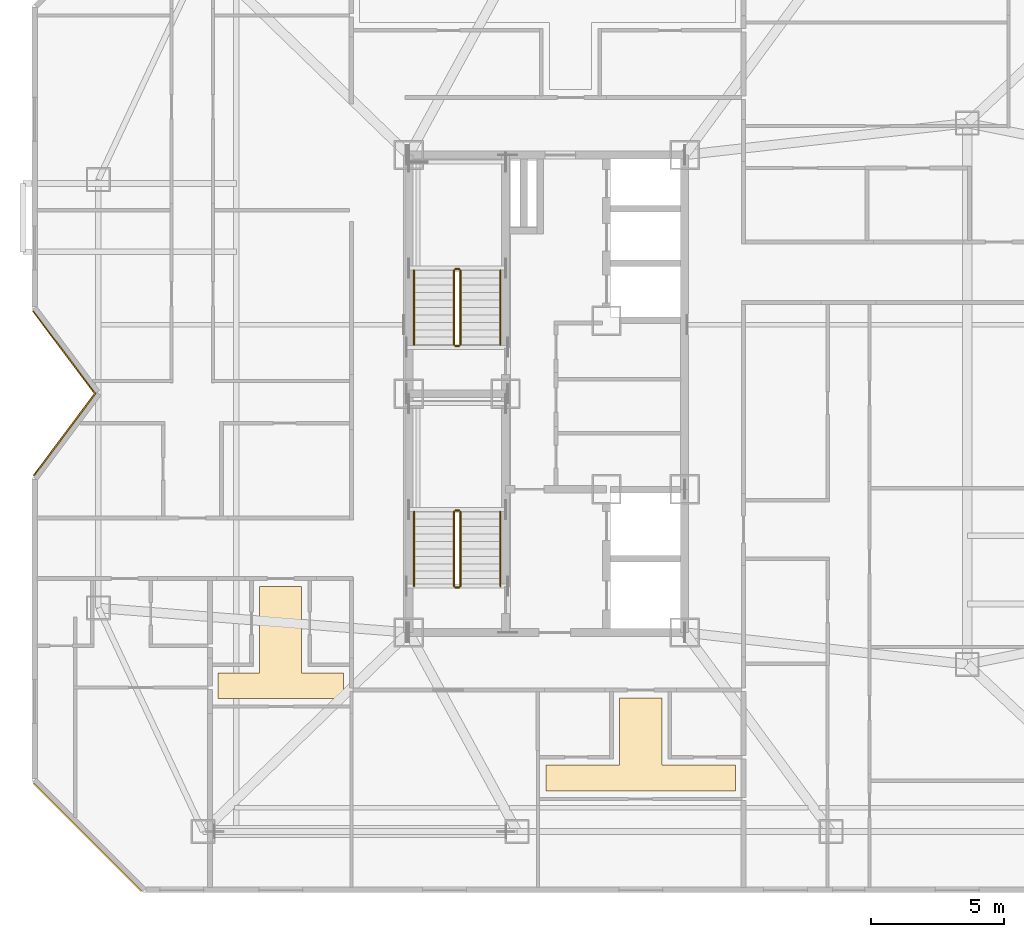
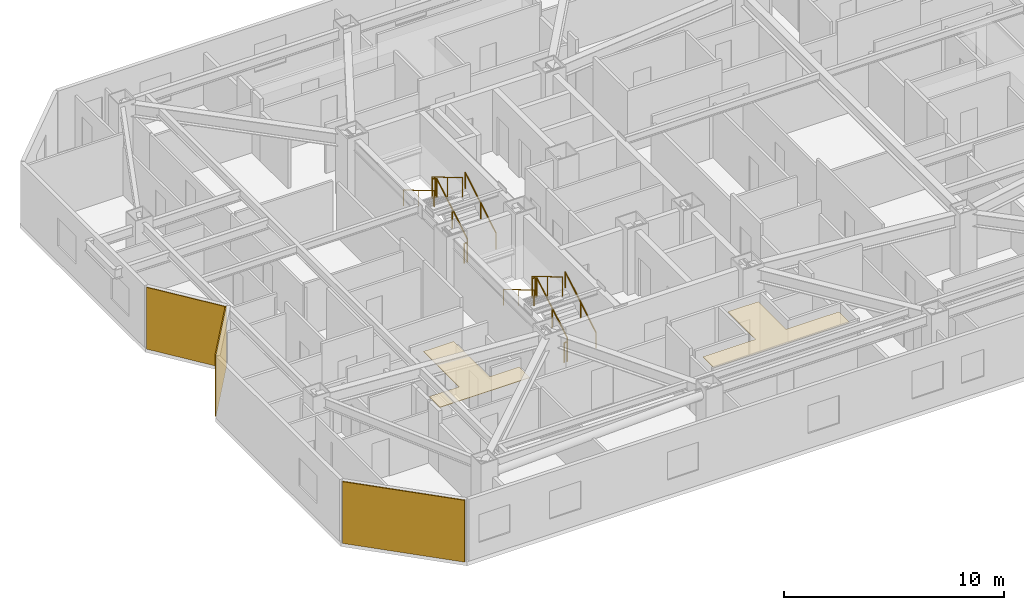
# One storey, part 12 of 13: 12 railings, 5 coverings.
"""IFC4 building model written with IfcOpenShell, lengths in metres."""

from ifc_helpers import new_model, si_unit, direction, frame, origin, origin_2d, place, context, subcontext, project, spatial, polyline, rectangle, circle, outline, extrude, material, layer, layer_set, type_object, element, save


model = new_model("IFC4")

# Units and contexts
model_context = context("Model", 3, precision=1e-05, world=origin(), true_north=direction((0.0, 1.0)))
body_context = subcontext(model_context, "Body", "Model", "MODEL_VIEW")
ifc_project = project(units=[si_unit("LENGTHUNIT", "METRE"), si_unit("AREAUNIT", "SQUARE_METRE"), si_unit("VOLUMEUNIT", "CUBIC_METRE"), si_unit("PLANEANGLEUNIT", "RADIAN"), si_unit("MASSUNIT", "GRAM", prefix="KILO")], contexts=[model_context])

# Site, building, storey
site_placement = place(None, origin())
site = spatial("IfcSite", under=ifc_project, at=site_placement, CompositionType="ELEMENT")
building_placement = place(site_placement, origin())
building = spatial("IfcBuilding", under=site, at=building_placement, Name="Khamvora Tower", CompositionType="ELEMENT")
storey_placement = place(building_placement, frame((0.0, 0.0, 166.85009765625)))
storey = spatial("IfcBuildingStorey", under=building, at=storey_placement, Name="L42", CompositionType="ELEMENT", Elevation=166.85009765625)

# Coverings
ifc_material_1 = material(Name="Perforated Mineral-Fibre Acoustic Ceiling Tile", Category="gypsum")
ifc_layer_1 = layer(ifc_material_1, 0.02490234375)
ifc_layer_set_1 = layer_set([ifc_layer_1], Name="Perforated Mineral-Fibre Acoustic Ceiling Tile")
covering_type_1 = type_object("IfcCoveringType", Name="COV-CEIL-600", PredefinedType="CEILING", material=ifc_layer_set_1)
covering_1_placement = place(storey_placement, frame((0.0, 0.0, 3.14990234375)))
element("IfcCovering", 1, at=covering_1_placement, inside=storey, type_object=covering_type_1, Name="L42 Apartment 42WB Living and Dining Room acoustic ceiling panel", PredefinedType="CEILING", context=body_context, shape_type="SweptSolid", body=[
    extrude(outline(polyline([(21.81005859375, 16.510986328125), (21.81005859375, 17.48095703125), (23.375, 17.48095703125), (23.375, 20.72998046875), (24.965087890625, 20.72998046875), (24.965087890625, 17.48095703125), (26.530029296875, 17.48095703125), (26.530029296875, 16.510986328125), (21.81005859375, 16.510986328125)])), origin(), (0.0, 0.0, 1.0), 0.02490234375),
])
covering_2_placement = place(storey_placement, frame((0.0, 0.0, 3.14990234375)))
element("IfcCovering", 2, at=covering_2_placement, inside=storey, type_object=covering_type_1, Name="L42 Apartment 42SA Living and Dining Room acoustic ceiling panel", PredefinedType="CEILING", context=body_context, shape_type="SweptSolid", body=[
    extrude(outline(polyline([(34.169921875, 13.030029296875), (34.169921875, 14.0), (36.945068359375, 14.0), (36.945068359375, 16.530029296875), (38.534912109375, 16.530029296875), (38.534912109375, 14.0), (41.31005859375, 14.0), (41.31005859375, 13.030029296875), (34.169921875, 13.030029296875)])), origin(), (0.0, 0.0, 1.0), 0.02490234375),
])
ifc_material_2 = material(Name="Pale Anodised Aluminium Rainscreen Panel", Category="aluminium")
ifc_layer_2 = layer(ifc_material_2, 0.044921875)
ifc_layer_set_2 = layer_set([ifc_layer_2], Name="Pale Anodised Aluminium Rainscreen Panel")
covering_type_2 = type_object("IfcCoveringType", Name="COV-CLD-ALU", PredefinedType="CLADDING", material=ifc_layer_set_2)
covering_3_placement = place(storey_placement, frame((15.991943359375, 29.580078125, 0.0), z_axis=(0.0, 0.0, 1.0), x_axis=(-0.600000000002, 0.799999999998, 0.0)))
element("IfcCovering", 3, at=covering_3_placement, inside=storey, type_object=covering_type_2, Name="L42 chamfer rainscreen cladding 04.1", PredefinedType="CLADDING", context=body_context, shape_type="SweptSolid", body=[
    extrude(rectangle(XDim=3.85498046875, YDim=0.044921875, at=origin_2d()), origin(), (0.0, 0.0, 1.0), 3.429931640625),
])
ifc_material_3 = material(Name="Anodised Bronze Aluminium Spandrel Panel", Category="aluminium")
ifc_layer_3 = layer(ifc_material_3, 0.054931640625)
ifc_layer_set_3 = layer_set([ifc_layer_3], Name="Anodised Bronze Aluminium Spandrel Panel")
covering_type_3 = type_object("IfcCoveringType", Name="COV-CLD-BRZ", PredefinedType="CLADDING", material=ifc_layer_set_3)
covering_4_placement = place(storey_placement, frame((16.886962890625, 11.287109375, 0.0), z_axis=(0.0, 0.0, 1.0), x_axis=(-0.707106781187, 0.707106781187, 0.0)))
element("IfcCovering", 4, at=covering_4_placement, inside=storey, type_object=covering_type_3, Name="L42 chamfer rainscreen cladding 01.1", PredefinedType="CLADDING", context=body_context, shape_type="SweptSolid", body=[
    extrude(rectangle(XDim=5.756103515625, YDim=0.054931640625, at=origin_2d()), origin(), (0.0, 0.0, 1.0), 3.429931640625),
])
covering_5_placement = place(storey_placement, frame((16.032958984375, 26.47412109375, 0.0), z_axis=(0.0, 0.0, 1.0), x_axis=(0.600040085427, 0.799969934361, 0.0)))
element("IfcCovering", 5, at=covering_5_placement, inside=storey, type_object=covering_type_3, Name="L42 chamfer rainscreen cladding 03.1", PredefinedType="CLADDING", context=body_context, shape_type="SweptSolid", body=[
    extrude(rectangle(XDim=3.89111328125, YDim=0.054931640625, at=origin_2d()), origin(), (0.0, 0.0, 1.0), 3.429931640625),
])

# Railings
ifc_material_4 = material(Name="Brushed Stainless Steel 316", Category="steel")
railing_type_1 = type_object("IfcRailingType", Name="RAL-HDR-920", PredefinedType="HANDRAIL", material=ifc_material_4)
railing_1_placement = place(storey_placement, frame((32.449951171875, 20.75, 0.165771484375)))
element("IfcRailing", 6, at=railing_1_placement, inside=storey, type_object=railing_type_1, Name="L42 ST-01 stair handrail 1", PredefinedType="HANDRAIL", context=body_context, shape_type="SweptSolid", body=[
    extrude(circle(Radius=0.02392578125, at=origin_2d()), frame((0.0, 0.0, 0.8759765625), z_axis=(0.0, 0.860306154799, 0.50977771628), x_axis=(-1.0, 0.0, 0.0)), (0.0, 0.0, 1.0), 3.254638671875),
    extrude(circle(Radius=0.02099609375, at=origin_2d()), origin(), (0.0, 0.0, 1.0), 0.851806640625),
    extrude(circle(Radius=0.02099609375, at=origin_2d()), frame((0.0, 1.39990234375, 0.82958984375)), (0.0, 0.0, 1.0), 0.851806640625),
    extrude(circle(Radius=0.02099609375, at=origin_2d()), frame((0.0, 2.800048828125, 1.6591796875)), (0.0, 0.0, 1.0), 0.851806640625),
])
railing_2_placement = place(storey_placement, frame((29.199951171875, 23.550048828125, 1.99072265625)))
element("IfcRailing", 7, at=railing_2_placement, inside=storey, type_object=railing_type_1, Name="L42 ST-01 stair handrail 2", PredefinedType="HANDRAIL", context=body_context, shape_type="SweptSolid", body=[
    extrude(circle(Radius=0.02392578125, at=origin_2d()), frame((0.0, 0.0, 0.8759765625), z_axis=(0.0, -0.860306154799, 0.50977771628), x_axis=(1.0, 0.0, 0.0)), (0.0, 0.0, 1.0), 3.254638671875),
    extrude(circle(Radius=0.02099609375, at=origin_2d()), origin(), (0.0, 0.0, 1.0), 0.851806640625),
    extrude(circle(Radius=0.02099609375, at=origin_2d()), frame((0.0, -1.39990234375, 0.82958984375)), (0.0, 0.0, 1.0), 0.851806640625),
    extrude(circle(Radius=0.02099609375, at=origin_2d()), frame((0.0, -2.800048828125, 1.6591796875)), (0.0, 0.0, 1.0), 0.851806640625),
])
railing_3_placement = place(storey_placement, frame((32.449951171875, 29.85009765625, 0.165771484375)))
element("IfcRailing", 8, at=railing_3_placement, inside=storey, type_object=railing_type_1, Name="L42 ST-02 stair handrail 1", PredefinedType="HANDRAIL", context=body_context, shape_type="SweptSolid", body=[
    extrude(circle(Radius=0.02392578125, at=origin_2d()), frame((0.0, 0.0, 0.8759765625), z_axis=(0.0, 0.860286659441, 0.509810615413), x_axis=(-1.0, 0.0, 0.0)), (0.0, 0.0, 1.0), 3.25439453125),
    extrude(circle(Radius=0.02099609375, at=origin_2d()), origin(), (0.0, 0.0, 1.0), 0.851806640625),
    extrude(circle(Radius=0.02099609375, at=origin_2d()), frame((0.0, 1.39990234375, 0.82958984375)), (0.0, 0.0, 1.0), 0.851806640625),
    extrude(circle(Radius=0.02099609375, at=origin_2d()), frame((0.0, 2.7998046875, 1.6591796875)), (0.0, 0.0, 1.0), 0.851806640625),
])
railing_4_placement = place(storey_placement, frame((29.199951171875, 32.64990234375, 1.99072265625)))
element("IfcRailing", 9, at=railing_4_placement, inside=storey, type_object=railing_type_1, Name="L42 ST-02 stair handrail 2", PredefinedType="HANDRAIL", context=body_context, shape_type="SweptSolid", body=[
    extrude(circle(Radius=0.02392578125, at=origin_2d()), frame((0.0, 0.0, 0.8759765625), z_axis=(0.0, -0.860286659441, 0.509810615413), x_axis=(1.0, 0.0, 0.0)), (0.0, 0.0, 1.0), 3.25439453125),
    extrude(circle(Radius=0.02099609375, at=origin_2d()), origin(), (0.0, 0.0, 1.0), 0.851806640625),
    extrude(circle(Radius=0.02099609375, at=origin_2d()), frame((0.0, -1.39990234375, 0.82958984375)), (0.0, 0.0, 1.0), 0.851806640625),
    extrude(circle(Radius=0.02099609375, at=origin_2d()), frame((0.0, -2.7998046875, 1.6591796875)), (0.0, 0.0, 1.0), 0.851806640625),
])
ifc_material_5 = material(Name="Stainless Steel 316", Category="steel")
railing_type_2 = type_object("IfcRailingType", Name="RAL-STG-1100", PredefinedType="GUARDRAIL", material=ifc_material_5)
railing_5_placement = place(storey_placement, frame((30.949951171875, 20.75, 0.165771484375)))
element("IfcRailing", 10, at=railing_5_placement, inside=storey, type_object=railing_type_2, Name="L42 ST-01 stair guard 1", PredefinedType="GUARDRAIL", context=body_context, shape_type="SweptSolid", body=[
    extrude(circle(Radius=0.02392578125, at=origin_2d()), frame((0.0, 0.0, 1.076171875), z_axis=(0.0, 0.860306154799, 0.50977771628), x_axis=(-1.0, 0.0, 0.0)), (0.0, 0.0, 1.0), 3.254638671875),
    extrude(circle(Radius=0.02099609375, at=origin_2d()), origin(), (0.0, 0.0, 1.0), 1.052001953125),
    extrude(circle(Radius=0.02099609375, at=origin_2d()), frame((0.0, 1.39990234375, 0.82958984375)), (0.0, 0.0, 1.0), 1.052001953125),
    extrude(circle(Radius=0.02099609375, at=origin_2d()), frame((0.0, 2.800048828125, 1.6591796875)), (0.0, 0.0, 1.0), 1.052001953125),
])
railing_6_placement = place(storey_placement, frame((30.89990234375, 23.60009765625, 1.824951171875)))
element("IfcRailing", 11, at=railing_6_placement, inside=storey, type_object=railing_type_2, Name="L42 ST-01 stair guard 2", PredefinedType="GUARDRAIL", context=body_context, shape_type="SweptSolid", body=[
    extrude(circle(Radius=0.02392578125, at=origin_2d()), frame((0.0, 0.0, 1.076171875), z_axis=(-1.0, 0.0, 0.0), x_axis=(0.0, -1.0, 0.0)), (0.0, 0.0, 1.0), 0.14990234375),
    extrude(circle(Radius=0.02099609375, at=origin_2d()), origin(), (0.0, 0.0, 1.0), 1.052001953125),
    extrude(circle(Radius=0.02099609375, at=origin_2d()), frame((-0.14990234375, 0.0, 0.0)), (0.0, 0.0, 1.0), 1.052001953125),
])
railing_7_placement = place(storey_placement, frame((30.699951171875, 23.550048828125, 1.99072265625)))
element("IfcRailing", 12, at=railing_7_placement, inside=storey, type_object=railing_type_2, Name="L42 ST-01 stair guard 3", PredefinedType="GUARDRAIL", context=body_context, shape_type="SweptSolid", body=[
    extrude(circle(Radius=0.02392578125, at=origin_2d()), frame((0.0, 0.0, 1.076171875), z_axis=(0.0, -0.860306154799, 0.50977771628), x_axis=(1.0, 0.0, 0.0)), (0.0, 0.0, 1.0), 3.254638671875),
    extrude(circle(Radius=0.02099609375, at=origin_2d()), origin(), (0.0, 0.0, 1.0), 1.052001953125),
    extrude(circle(Radius=0.02099609375, at=origin_2d()), frame((0.0, -1.39990234375, 0.82958984375)), (0.0, 0.0, 1.0), 1.052001953125),
    extrude(circle(Radius=0.02099609375, at=origin_2d()), frame((0.0, -2.800048828125, 1.6591796875)), (0.0, 0.0, 1.0), 1.052001953125),
])
railing_8_placement = place(storey_placement, frame((30.89990234375, 20.699951171875, 0.0)))
element("IfcRailing", 13, at=railing_8_placement, inside=storey, type_object=railing_type_2, Name="L42 ST-01 stair guard 4", PredefinedType="GUARDRAIL", context=body_context, shape_type="SweptSolid", body=[
    extrude(circle(Radius=0.02392578125, at=origin_2d()), frame((0.0, 0.0, 1.076171875), z_axis=(-1.0, 0.0, 0.0), x_axis=(0.0, -1.0, 0.0)), (0.0, 0.0, 1.0), 0.14990234375),
    extrude(circle(Radius=0.02099609375, at=origin_2d()), origin(), (0.0, 0.0, 1.0), 1.052001953125),
    extrude(circle(Radius=0.02099609375, at=origin_2d()), frame((-0.14990234375, 0.0, 0.0)), (0.0, 0.0, 1.0), 1.052001953125),
])
railing_9_placement = place(storey_placement, frame((30.949951171875, 29.85009765625, 0.165771484375)))
element("IfcRailing", 14, at=railing_9_placement, inside=storey, type_object=railing_type_2, Name="L42 ST-02 stair guard 1", PredefinedType="GUARDRAIL", context=body_context, shape_type="SweptSolid", body=[
    extrude(circle(Radius=0.02392578125, at=origin_2d()), frame((0.0, 0.0, 1.076171875), z_axis=(0.0, 0.860286659441, 0.509810615413), x_axis=(-1.0, 0.0, 0.0)), (0.0, 0.0, 1.0), 3.25439453125),
    extrude(circle(Radius=0.02099609375, at=origin_2d()), origin(), (0.0, 0.0, 1.0), 1.052001953125),
    extrude(circle(Radius=0.02099609375, at=origin_2d()), frame((0.0, 1.39990234375, 0.82958984375)), (0.0, 0.0, 1.0), 1.052001953125),
    extrude(circle(Radius=0.02099609375, at=origin_2d()), frame((0.0, 2.7998046875, 1.6591796875)), (0.0, 0.0, 1.0), 1.052001953125),
])
railing_10_placement = place(storey_placement, frame((30.89990234375, 32.699951171875, 1.824951171875)))
element("IfcRailing", 15, at=railing_10_placement, inside=storey, type_object=railing_type_2, Name="L42 ST-02 stair guard 2", PredefinedType="GUARDRAIL", context=body_context, shape_type="SweptSolid", body=[
    extrude(circle(Radius=0.02392578125, at=origin_2d()), frame((0.0, 0.0, 1.076171875), z_axis=(-1.0, 0.0, 0.0), x_axis=(0.0, -1.0, 0.0)), (0.0, 0.0, 1.0), 0.14990234375),
    extrude(circle(Radius=0.02099609375, at=origin_2d()), origin(), (0.0, 0.0, 1.0), 1.052001953125),
    extrude(circle(Radius=0.02099609375, at=origin_2d()), frame((-0.14990234375, 0.0, 0.0)), (0.0, 0.0, 1.0), 1.052001953125),
])
railing_11_placement = place(storey_placement, frame((30.699951171875, 32.64990234375, 1.99072265625)))
element("IfcRailing", 16, at=railing_11_placement, inside=storey, type_object=railing_type_2, Name="L42 ST-02 stair guard 3", PredefinedType="GUARDRAIL", context=body_context, shape_type="SweptSolid", body=[
    extrude(circle(Radius=0.02392578125, at=origin_2d()), frame((0.0, 0.0, 1.076171875), z_axis=(0.0, -0.860286659441, 0.509810615413), x_axis=(1.0, 0.0, 0.0)), (0.0, 0.0, 1.0), 3.25439453125),
    extrude(circle(Radius=0.02099609375, at=origin_2d()), origin(), (0.0, 0.0, 1.0), 1.052001953125),
    extrude(circle(Radius=0.02099609375, at=origin_2d()), frame((0.0, -1.39990234375, 0.82958984375)), (0.0, 0.0, 1.0), 1.052001953125),
    extrude(circle(Radius=0.02099609375, at=origin_2d()), frame((0.0, -2.7998046875, 1.6591796875)), (0.0, 0.0, 1.0), 1.052001953125),
])
railing_12_placement = place(storey_placement, frame((30.89990234375, 29.800048828125, 0.0)))
element("IfcRailing", 17, at=railing_12_placement, inside=storey, type_object=railing_type_2, Name="L42 ST-02 stair guard 4", PredefinedType="GUARDRAIL", context=body_context, shape_type="SweptSolid", body=[
    extrude(circle(Radius=0.02392578125, at=origin_2d()), frame((0.0, 0.0, 1.076171875), z_axis=(-1.0, 0.0, 0.0), x_axis=(0.0, -1.0, 0.0)), (0.0, 0.0, 1.0), 0.14990234375),
    extrude(circle(Radius=0.02099609375, at=origin_2d()), origin(), (0.0, 0.0, 1.0), 1.052001953125),
    extrude(circle(Radius=0.02099609375, at=origin_2d()), frame((-0.14990234375, 0.0, 0.0)), (0.0, 0.0, 1.0), 1.052001953125),
])

save(model, "model.ifc")
